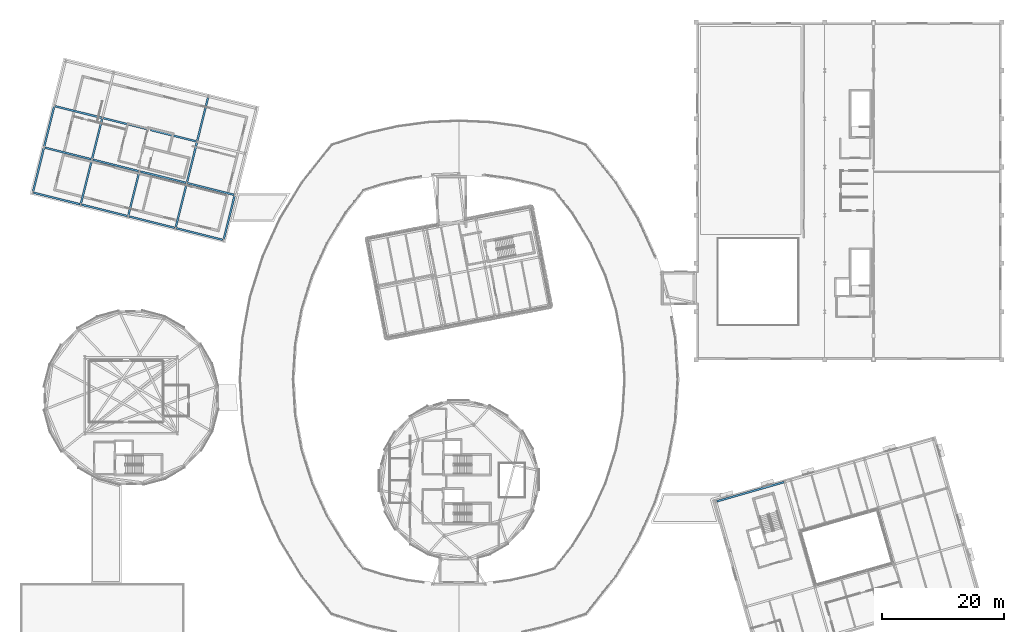
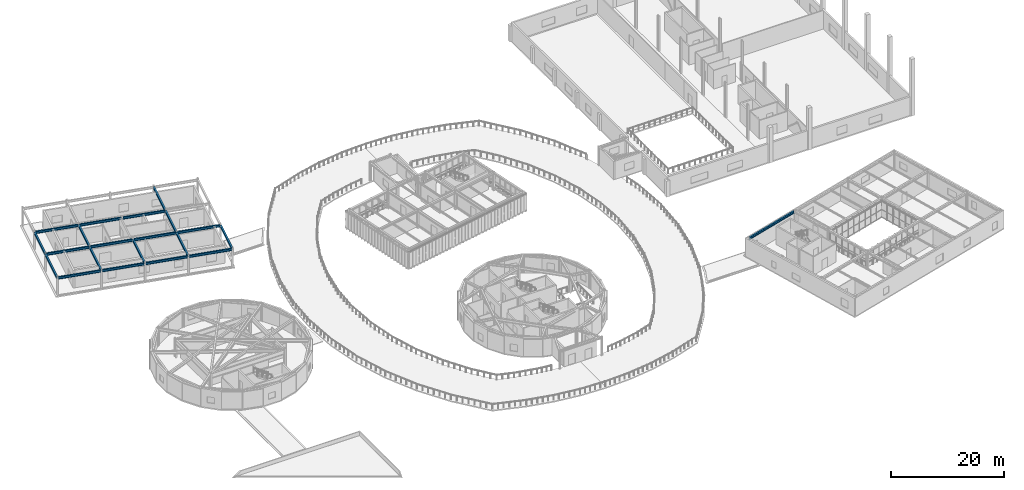
# One storey, part 20 of 59: 21 beams.
"""IFC4 building model written with IfcOpenShell, lengths in metres."""

from ifc_helpers import new_model, si_unit, direction, frame, origin, origin_2d, place, context, subcontext, project, spatial, i_section, extrude, material, material_profile, profile_set, type_object, element, save


model = new_model("IFC4")

# Units and contexts
model_context = context("Model", 3, precision=1e-05, world=origin(), true_north=direction((0.0, 1.0)))
body_context = subcontext(model_context, "Body", "Model", "MODEL_VIEW")
ifc_project = project(units=[si_unit("LENGTHUNIT", "METRE"), si_unit("AREAUNIT", "SQUARE_METRE"), si_unit("VOLUMEUNIT", "CUBIC_METRE"), si_unit("PLANEANGLEUNIT", "RADIAN"), si_unit("MASSUNIT", "GRAM", prefix="KILO")], contexts=[model_context])

# Site, building, storey
site_placement = place(None, origin())
site = spatial("IfcSite", under=ifc_project, at=site_placement, CompositionType="ELEMENT")
building_placement = place(site_placement, origin())
building = spatial("IfcBuilding", under=site, at=building_placement, Name="Varnklinge Art Gallery", CompositionType="ELEMENT")
storey_placement = place(building_placement, frame((0.0, 0.0, 9.52001953125)))
storey = spatial("IfcBuildingStorey", under=building, at=storey_placement, Name="L02", CompositionType="ELEMENT", Elevation=9.52001953125)

# Beams
ifc_material_1 = material(Name="Steel S355", Category="steel")
ifc_material_profile_1 = material_profile(ifc_material_1, i_section(OverallWidth=0.300048828125, OverallDepth=0.489990234375, WebThickness=0.011962890625, FlangeThickness=0.02294921875, FilletRadius=0.027099609375, at=origin_2d()), Name="HEA 500")
ifc_profile_set_1 = profile_set([ifc_material_profile_1], Name="Steel S355")
beam_type_1 = type_object("IfcBeamType", Name="BM-07", PredefinedType="BEAM", material=ifc_profile_set_1)
beam_1_placement = place(storey_placement, frame((5.82861328125, 85.5908203125, 3.675048828125), z_axis=(0.970296564102, -0.241918535239, 0.0), x_axis=(0.241918535239, 0.970296564102, 0.0)))
element("IfcBeam", 1, at=beam_1_placement, inside=storey, type_object=beam_type_1, Name="L02 BM-07 BM-V5-L03-U0-0", PredefinedType="BEAM", context=body_context, shape_type="SweptSolid", body=[
    extrude(i_section(OverallWidth=0.300048828125, OverallDepth=0.489990234375, WebThickness=0.011962890625, FlangeThickness=0.02294921875, FilletRadius=0.027099609375, at=origin_2d()), origin(), (0.0, 0.0, 1.0), 7.820068359375),
])
beam_2_placement = place(storey_placement, frame((13.68798828125, 83.631103515625, 3.675048828125), z_axis=(0.970304122122, -0.241888219213, 0.0), x_axis=(0.241888219213, 0.970304122122, 0.0)))
element("IfcBeam", 2, at=beam_2_placement, inside=storey, type_object=beam_type_1, Name="L02 BM-07 BM-V5-L03-U0-1", PredefinedType="BEAM", context=body_context, shape_type="SweptSolid", body=[
    extrude(i_section(OverallWidth=0.300048828125, OverallDepth=0.489990234375, WebThickness=0.011962890625, FlangeThickness=0.02294921875, FilletRadius=0.027099609375, at=origin_2d()), origin(), (0.0, 0.0, 1.0), 7.72021484375),
])
beam_3_placement = place(storey_placement, frame((21.450439453125, 81.69580078125, 3.675048828125), z_axis=(0.970294848706, -0.241925415312, 0.0), x_axis=(0.241925415312, 0.970294848706, 0.0)))
element("IfcBeam", 3, at=beam_3_placement, inside=storey, type_object=beam_type_1, Name="L02 BM-07 BM-V5-L03-U0-2", PredefinedType="BEAM", context=body_context, shape_type="SweptSolid", body=[
    extrude(i_section(OverallWidth=0.300048828125, OverallDepth=0.489990234375, WebThickness=0.011962890625, FlangeThickness=0.02294921875, FilletRadius=0.027099609375, at=origin_2d()), origin(), (0.0, 0.0, 1.0), 7.719970703125),
])
beam_4_placement = place(storey_placement, frame((29.212890625, 79.760498046875, 3.675048828125), z_axis=(0.970294736921, -0.241925863651, 0.0), x_axis=(0.241925863651, 0.970294736921, 0.0)))
element("IfcBeam", 4, at=beam_4_placement, inside=storey, type_object=beam_type_1, Name="L02 BM-07 BM-V5-L03-U0-3", PredefinedType="BEAM", context=body_context, shape_type="SweptSolid", body=[
    extrude(i_section(OverallWidth=0.300048828125, OverallDepth=0.489990234375, WebThickness=0.011962890625, FlangeThickness=0.02294921875, FilletRadius=0.027099609375, at=origin_2d()), origin(), (0.0, 0.0, 1.0), 7.81982421875),
])
beam_5_placement = place(storey_placement, frame((7.667236328125, 92.965087890625, 3.675048828125), z_axis=(0.970296564102, -0.241918535239, 0.0), x_axis=(0.241918535239, 0.970296564102, 0.0)))
element("IfcBeam", 5, at=beam_5_placement, inside=storey, type_object=beam_type_1, Name="L02 BM-07 BM-V5-L03-U1-0", PredefinedType="BEAM", context=body_context, shape_type="SweptSolid", body=[
    extrude(i_section(OverallWidth=0.300048828125, OverallDepth=0.489990234375, WebThickness=0.011962890625, FlangeThickness=0.02294921875, FilletRadius=0.027099609375, at=origin_2d()), origin(), (0.0, 0.0, 1.0), 7.820068359375),
])
beam_6_placement = place(storey_placement, frame((15.526611328125, 91.00537109375, 3.675048828125), z_axis=(0.970304122122, -0.241888219213, 0.0), x_axis=(0.241888219213, 0.970304122122, 0.0)))
element("IfcBeam", 6, at=beam_6_placement, inside=storey, type_object=beam_type_1, Name="L02 BM-07 BM-V5-L03-U1-1", PredefinedType="BEAM", context=body_context, shape_type="SweptSolid", body=[
    extrude(i_section(OverallWidth=0.300048828125, OverallDepth=0.489990234375, WebThickness=0.011962890625, FlangeThickness=0.02294921875, FilletRadius=0.027099609375, at=origin_2d()), origin(), (0.0, 0.0, 1.0), 7.72021484375),
])
beam_7_placement = place(storey_placement, frame((23.2890625, 89.070068359375, 3.675048828125), z_axis=(0.970294848706, -0.241925415312, 0.0), x_axis=(0.241925415312, 0.970294848706, 0.0)))
element("IfcBeam", 7, at=beam_7_placement, inside=storey, type_object=beam_type_1, Name="L02 BM-07 BM-V5-L03-U1-2", PredefinedType="BEAM", context=body_context, shape_type="SweptSolid", body=[
    extrude(i_section(OverallWidth=0.300048828125, OverallDepth=0.489990234375, WebThickness=0.011962890625, FlangeThickness=0.02294921875, FilletRadius=0.027099609375, at=origin_2d()), origin(), (0.0, 0.0, 1.0), 7.719970703125),
])
for number, where, z_axis, x_axis, name in (
    (8, (31.051513671875, 87.134765625, 3.675048828125), (0.970294736921, -0.241925863651, 0.0), (0.241925863651, 0.970294736921, 0.0), "L02 BM-07 BM-V5-L03-U1-3"),
    (9, (9.36083984375, 99.757080078125, 3.675048828125), (0.970294736921, -0.241925863651, 0.0), (0.241925863651, 0.970294736921, 0.0), "L02 BM-07 BM-V5-L03-U2-0"),
):
    element("IfcBeam", number, at=place(storey_placement, frame(where, z_axis=z_axis, x_axis=x_axis)), inside=storey, type_object=beam_type_1, Name=name, PredefinedType="BEAM", context=body_context, shape_type="SweptSolid", body=[
        extrude(i_section(OverallWidth=0.300048828125, OverallDepth=0.489990234375, WebThickness=0.011962890625, FlangeThickness=0.02294921875, FilletRadius=0.027099609375, at=origin_2d()), origin(), (0.0, 0.0, 1.0), 7.81982421875),
    ])
beam_8_placement = place(storey_placement, frame((17.22021484375, 97.797607421875, 3.675048828125), z_axis=(0.970294848706, -0.241925415312, 0.0), x_axis=(0.241925415312, 0.970294848706, 0.0)))
element("IfcBeam", 10, at=beam_8_placement, inside=storey, type_object=beam_type_1, Name="L02 BM-07 BM-V5-L03-U2-1", PredefinedType="BEAM", context=body_context, shape_type="SweptSolid", body=[
    extrude(i_section(OverallWidth=0.300048828125, OverallDepth=0.489990234375, WebThickness=0.011962890625, FlangeThickness=0.02294921875, FilletRadius=0.027099609375, at=origin_2d()), origin(), (0.0, 0.0, 1.0), 7.719970703125),
])
beam_9_placement = place(storey_placement, frame((24.982421875, 95.862060546875, 3.675048828125), z_axis=(0.970304122122, -0.241888219213, 0.0), x_axis=(0.241888219213, 0.970304122122, 0.0)))
element("IfcBeam", 11, at=beam_9_placement, inside=storey, type_object=beam_type_1, Name="L02 BM-07 BM-V5-L03-U2-2", PredefinedType="BEAM", context=body_context, shape_type="SweptSolid", body=[
    extrude(i_section(OverallWidth=0.300048828125, OverallDepth=0.489990234375, WebThickness=0.011962890625, FlangeThickness=0.02294921875, FilletRadius=0.027099609375, at=origin_2d()), origin(), (0.0, 0.0, 1.0), 7.72021484375),
])
beam_10_placement = place(storey_placement, frame((117.740478515625, 35.03173828125, 3.675048828125), z_axis=(0.961257274888, 0.275652773383, 0.0), x_axis=(-0.275652773383, 0.961257274888, 0.0)))
element("IfcBeam", 12, at=beam_10_placement, inside=storey, type_object=beam_type_1, Name="L02 BM-07 BM-V6-L03-U3-0", PredefinedType="BEAM", context=body_context, shape_type="SweptSolid", body=[
    extrude(i_section(OverallWidth=0.300048828125, OverallDepth=0.489990234375, WebThickness=0.011962890625, FlangeThickness=0.02294921875, FilletRadius=0.027099609375, at=origin_2d()), origin(), (0.0, 0.0, 1.0), 11.419921875),
])
ifc_material_2 = material(Name="Steel S355", Category="steel")
ifc_material_profile_2 = material_profile(ifc_material_2, i_section(OverallWidth=0.300048828125, OverallDepth=0.43994140625, WebThickness=0.011474609375, FlangeThickness=0.02099609375, FilletRadius=0.027099609375, at=origin_2d()), Name="HEA 450")
ifc_profile_set_2 = profile_set([ifc_material_profile_2], Name="Steel S355")
beam_type_2 = type_object("IfcBeamType", Name="BM-08", PredefinedType="BEAM", material=ifc_profile_set_2)
beam_11_placement = place(storey_placement, frame((5.726806640625, 85.760498046875, 3.699951171875), z_axis=(0.241907757102, 0.97029925129, 0.0), x_axis=(-0.97029925129, 0.241907757102, 0.0)))
element("IfcBeam", 13, at=beam_11_placement, inside=storey, type_object=beam_type_2, Name="L02 BM-08 BM-V5-L03-V0-0", PredefinedType="BEAM", context=body_context, shape_type="SweptSolid", body=[
    extrude(i_section(OverallWidth=0.300048828125, OverallDepth=0.43994140625, WebThickness=0.011474609375, FlangeThickness=0.02099609375, FilletRadius=0.027099609375, at=origin_2d()), origin(), (0.0, 0.0, 1.0), 7.320068359375),
])
beam_12_placement = place(storey_placement, frame((7.5654296875, 93.134765625, 3.699951171875), z_axis=(0.241920106756, 0.970296172283, 0.0), x_axis=(-0.970296172283, 0.241920106756, 0.0)))
element("IfcBeam", 14, at=beam_12_placement, inside=storey, type_object=beam_type_2, Name="L02 BM-08 BM-V5-L03-V0-1", PredefinedType="BEAM", context=body_context, shape_type="SweptSolid", body=[
    extrude(i_section(OverallWidth=0.300048828125, OverallDepth=0.43994140625, WebThickness=0.011474609375, FlangeThickness=0.02099609375, FilletRadius=0.027099609375, at=origin_2d()), origin(), (0.0, 0.0, 1.0), 6.72021484375),
])
beam_13_placement = place(storey_placement, frame((13.586181640625, 83.80078125, 3.699951171875), z_axis=(0.241899928684, 0.970301202979, 0.0), x_axis=(-0.970301202979, 0.241899928684, 0.0)))
element("IfcBeam", 15, at=beam_13_placement, inside=storey, type_object=beam_type_2, Name="L02 BM-08 BM-V5-L03-V1-0", PredefinedType="BEAM", context=body_context, shape_type="SweptSolid", body=[
    extrude(i_section(OverallWidth=0.300048828125, OverallDepth=0.43994140625, WebThickness=0.011474609375, FlangeThickness=0.02099609375, FilletRadius=0.027099609375, at=origin_2d()), origin(), (0.0, 0.0, 1.0), 7.320068359375),
])
beam_14_placement = place(storey_placement, frame((15.4248046875, 91.175048828125, 3.699951171875), z_axis=(0.241920106756, 0.970296172283, 0.0), x_axis=(-0.970296172283, 0.241920106756, 0.0)))
element("IfcBeam", 16, at=beam_14_placement, inside=storey, type_object=beam_type_2, Name="L02 BM-08 BM-V5-L03-V1-1", PredefinedType="BEAM", context=body_context, shape_type="SweptSolid", body=[
    extrude(i_section(OverallWidth=0.300048828125, OverallDepth=0.43994140625, WebThickness=0.011474609375, FlangeThickness=0.02099609375, FilletRadius=0.027099609375, at=origin_2d()), origin(), (0.0, 0.0, 1.0), 6.72021484375),
])
for number, where, z_axis, x_axis, name in (
    (17, (21.3486328125, 81.865478515625, 3.699951171875), (0.241899928684, 0.970301202979, 0.0), (-0.970301202979, 0.241899928684, 0.0), "L02 BM-08 BM-V5-L03-V2-0"),
    (18, (29.11083984375, 79.93017578125, 3.699951171875), (0.241907757102, 0.97029925129, 0.0), (-0.97029925129, 0.241907757102, 0.0), "L02 BM-08 BM-V5-L03-V3-0"),
):
    element("IfcBeam", number, at=place(storey_placement, frame(where, z_axis=z_axis, x_axis=x_axis)), inside=storey, type_object=beam_type_2, Name=name, PredefinedType="BEAM", context=body_context, shape_type="SweptSolid", body=[
        extrude(i_section(OverallWidth=0.300048828125, OverallDepth=0.43994140625, WebThickness=0.011474609375, FlangeThickness=0.02099609375, FilletRadius=0.027099609375, at=origin_2d()), origin(), (0.0, 0.0, 1.0), 7.320068359375),
    ])
beam_15_placement = place(storey_placement, frame((30.949462890625, 87.304443359375, 3.699951171875), z_axis=(0.241920106756, 0.970296172283, 0.0), x_axis=(-0.970296172283, 0.241920106756, 0.0)))
element("IfcBeam", 19, at=beam_15_placement, inside=storey, type_object=beam_type_2, Name="L02 BM-08 BM-V5-L03-V3-1", PredefinedType="BEAM", context=body_context, shape_type="SweptSolid", body=[
    extrude(i_section(OverallWidth=0.300048828125, OverallDepth=0.43994140625, WebThickness=0.011474609375, FlangeThickness=0.02099609375, FilletRadius=0.027099609375, at=origin_2d()), origin(), (0.0, 0.0, 1.0), 6.72021484375),
])
for number, where, z_axis, x_axis, name in (
    (20, (32.64306640625, 94.096435546875, 3.699951171875), (0.241899928684, 0.970301202979, 0.0), (-0.970301202979, 0.241899928684, 0.0), "L02 BM-08 BM-V5-L03-V3-2"),
    (21, (36.97021484375, 77.970703125, 3.699951171875), (0.241939157724, 0.970291422182, 0.0), (-0.970291422182, 0.241939157724, 0.0), "L02 BM-08 BM-V5-L03-V4-0"),
):
    element("IfcBeam", number, at=place(storey_placement, frame(where, z_axis=z_axis, x_axis=x_axis)), inside=storey, type_object=beam_type_2, Name=name, PredefinedType="BEAM", context=body_context, shape_type="SweptSolid", body=[
        extrude(i_section(OverallWidth=0.300048828125, OverallDepth=0.43994140625, WebThickness=0.011474609375, FlangeThickness=0.02099609375, FilletRadius=0.027099609375, at=origin_2d()), origin(), (0.0, 0.0, 1.0), 7.320068359375),
    ])

save(model, "model.ifc")
